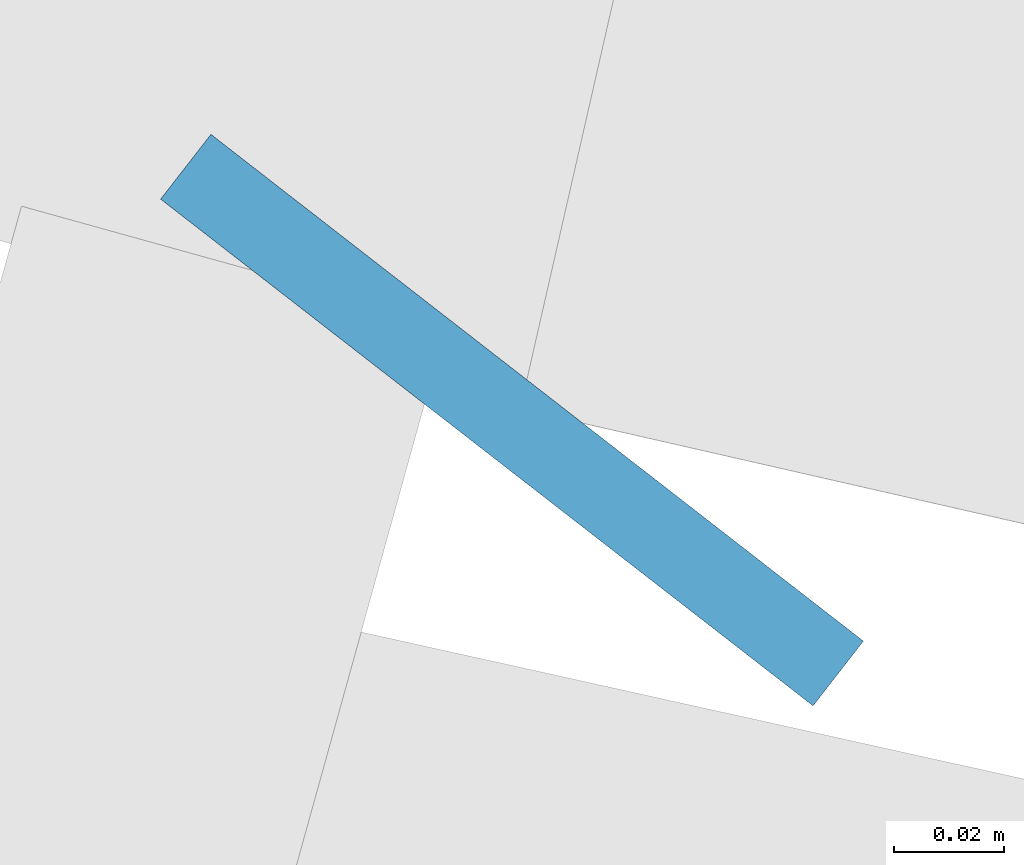
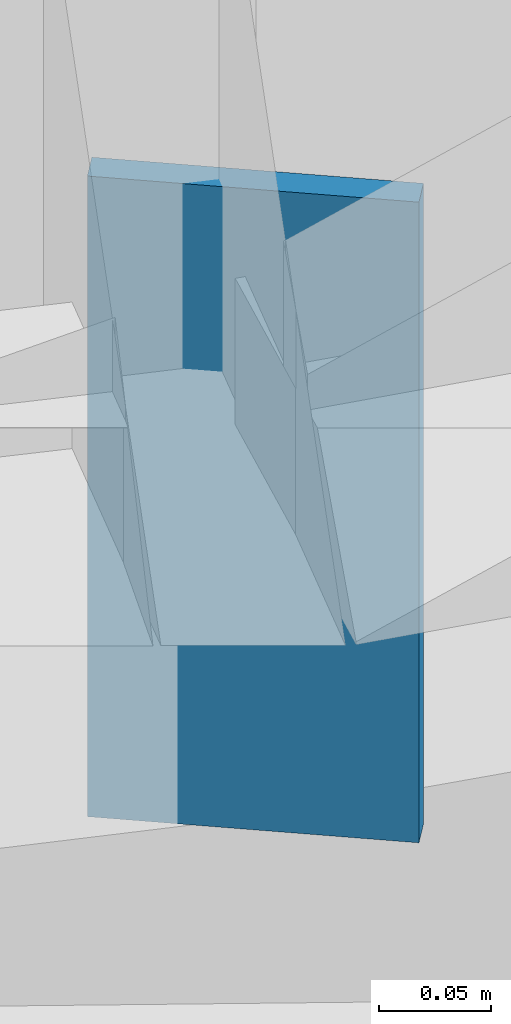
# One storey, part 17 of 28: 1 discrete accessory.
"""IFC4 building model written with IfcOpenShell, lengths in metres."""

from ifc_helpers import new_model, si_unit, direction, frame, origin, origin_2d, place, context, subcontext, project, spatial, rectangle, extrude, material, type_object, element, save


model = new_model("IFC4")

# Units and contexts
model_context = context("Model", 3, precision=1e-05, world=origin(), true_north=direction((0.0, 1.0)))
body_context = subcontext(model_context, "Body", "Model", "MODEL_VIEW")
ifc_project = project(units=[si_unit("LENGTHUNIT", "METRE"), si_unit("AREAUNIT", "SQUARE_METRE"), si_unit("VOLUMEUNIT", "CUBIC_METRE"), si_unit("PLANEANGLEUNIT", "RADIAN"), si_unit("MASSUNIT", "GRAM", prefix="KILO")], contexts=[model_context])

# Site, building, storey
site_placement = place(None, origin())
site = spatial("IfcSite", under=ifc_project, at=site_placement, CompositionType="ELEMENT")
building_placement = place(site_placement, origin())
building = spatial("IfcBuilding", under=site, at=building_placement, Name="Ghaith Harvest Tower", CompositionType="ELEMENT")
storey_placement = place(building_placement, frame((0.0, 0.0, 5.0)))
storey = spatial("IfcBuildingStorey", under=building, at=storey_placement, Name="L01", CompositionType="ELEMENT", Elevation=5.0)

# Discrete accessory
ifc_material = material(Name="Stainless steel grade 1.4401", Category="steel")
discrete_accessory_type = type_object("IfcDiscreteAccessoryType", Name="CURTAIN WALL BRACKET 15", PredefinedType="BRACKET", material=ifc_material)
discrete_accessory_placement = place(storey_placement, frame((-21.125244140625, -27.201171875, -0.25), z_axis=(0.0, 0.0, 1.0), x_axis=(-0.613377713774, -0.789789706343, 0.0)))
element("IfcDiscreteAccessory", 1, at=discrete_accessory_placement, inside=storey, type_object=discrete_accessory_type, Name="CW-P bracket 1 bay 14 L01", PredefinedType="BRACKET", context=body_context, shape_type="SweptSolid", body=[
    extrude(rectangle(XDim=0.014892578125, YDim=0.14990234375, at=origin_2d()), origin(), (0.0, 0.0, 1.0), 0.35009765625),
])

save(model, "model.ifc")
